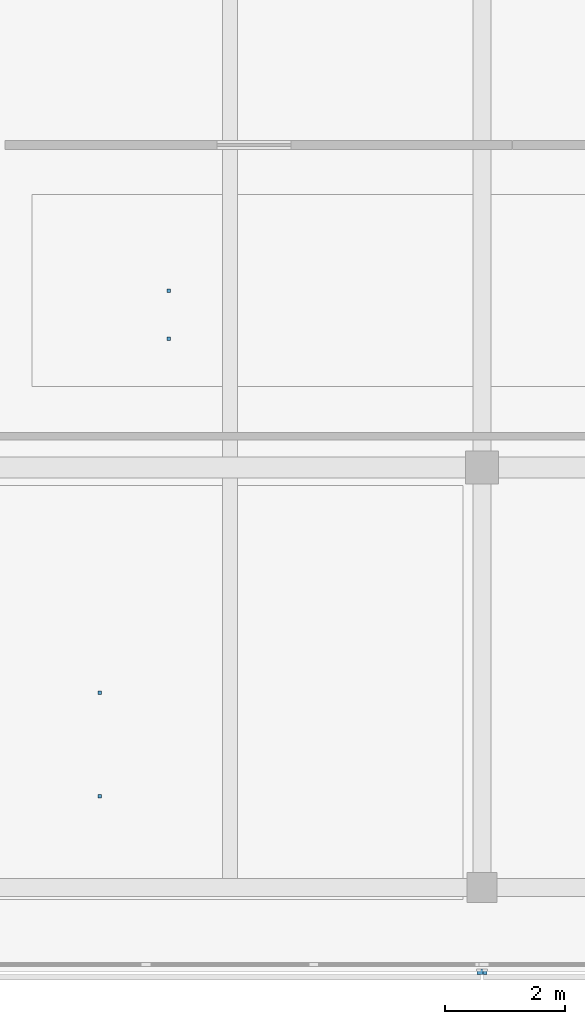
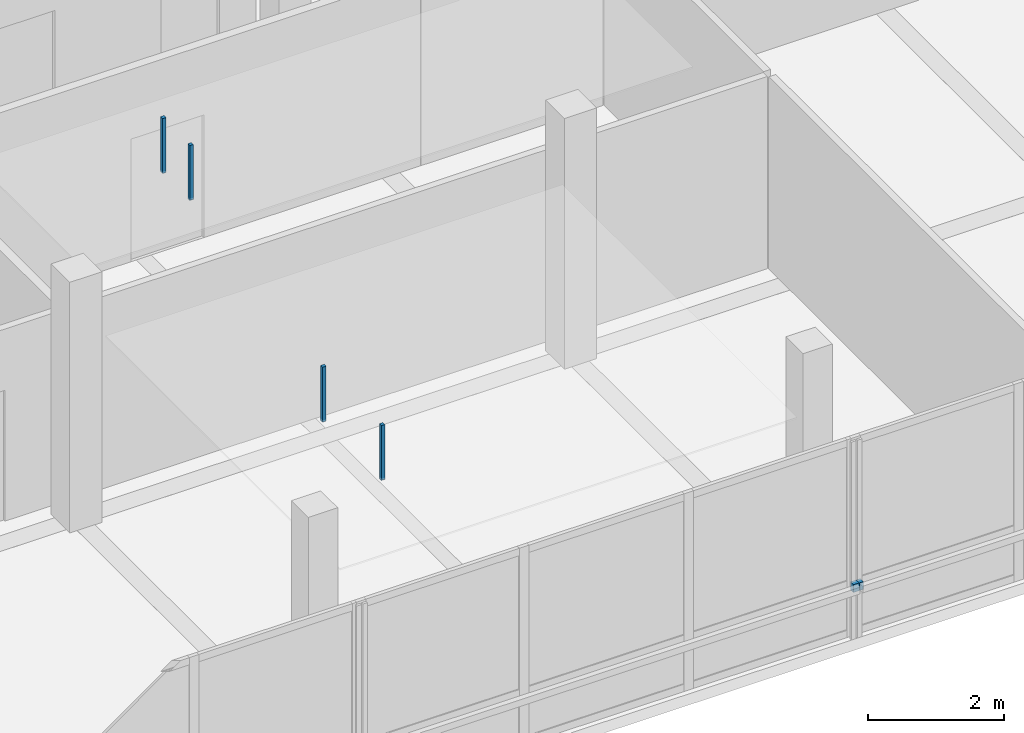
# One storey, part 10 of 20: 6 discrete accessories.
"""IFC4 building model written with IfcOpenShell, lengths in metres."""

from ifc_helpers import new_model, si_unit, direction, frame, origin, origin_2d, place, context, subcontext, project, spatial, rectangle, extrude, material, type_object, element, save


model = new_model("IFC4")

# Units and contexts
model_context = context("Model", 3, precision=1e-05, world=origin(), true_north=direction((0.0, 1.0)))
body_context = subcontext(model_context, "Body", "Model", "MODEL_VIEW")
ifc_project = project(units=[si_unit("LENGTHUNIT", "METRE"), si_unit("AREAUNIT", "SQUARE_METRE"), si_unit("VOLUMEUNIT", "CUBIC_METRE"), si_unit("PLANEANGLEUNIT", "RADIAN"), si_unit("MASSUNIT", "GRAM", prefix="KILO")], contexts=[model_context])

# Site, building, storey
site_placement = place(None, origin())
site = spatial("IfcSite", under=ifc_project, at=site_placement, CompositionType="ELEMENT")
building_placement = place(site_placement, origin())
building = spatial("IfcBuilding", under=site, at=building_placement, Name="Telukmera Botanical Conservatory", CompositionType="ELEMENT")
storey_placement = place(building_placement, frame((0.0, 0.0, 69.0)))
storey = spatial("IfcBuildingStorey", under=building, at=storey_placement, Name="L15", CompositionType="ELEMENT", Elevation=69.0)

# Discrete accessories
ifc_material = material(Name="Steel S355", Category="steel")
discrete_accessory_type_1 = type_object("IfcDiscreteAccessoryType", Name="ACC-CEIL-HGR", PredefinedType="BRACKET", material=ifc_material)
for number, where, z_axis, x_axis, name in (
    (1, (77.627197265625, 12.125, 3.31982421875), (0.0, 0.0, 1.0), (1.0, 0.0, 0.0), "L15 Suspended Ceiling Hanger Rod 023-1"),
    (2, (77.627197265625, 13.85009765625, 3.31982421875), (0.0, 0.0, 1.0), (1.0, 0.0, 0.0), "L15 Suspended Ceiling Hanger Rod 023-2"),
    (3, (78.777099609375, 19.75, 3.31982421875), (0.0, 0.0, 1.0), (1.0, 0.0, 0.0), "L15 Suspended Ceiling Hanger Rod 025-1"),
    (4, (78.777099609375, 20.550048828125, 3.31982421875), (0.0, 0.0, 1.0), (1.0, 0.0, 0.0), "L15 Suspended Ceiling Hanger Rod 025-2"),
):
    element("IfcDiscreteAccessory", number, at=place(storey_placement, frame(where, z_axis=z_axis, x_axis=x_axis)), inside=storey, type_object=discrete_accessory_type_1, Name=name, PredefinedType="BRACKET", context=body_context, shape_type="SweptSolid", body=[
        extrude(rectangle(XDim=0.06005859375, YDim=0.06005859375, at=origin_2d()), origin(), (0.0, 0.0, 1.0), 0.985107421875),
    ])
discrete_accessory_type_2 = type_object("IfcDiscreteAccessoryType", Name="Structural Steel Facade Outrigger Fin Bracket", PredefinedType="BRACKET", material=ifc_material)
for number, where, z_axis, x_axis, name in (
    (5, (83.965576171875, 9.195068359375, 0.8798828125), (0.0, 0.0, 1.0), (1.0, 0.0, 0.0), "Facade Outrigger Bracket V4:L15:S3 B"),
    (6, (84.034423828125, 9.195068359375, 0.8798828125), (0.0, 0.0, 1.0), (1.0, 0.0, 0.0), "Facade Outrigger Bracket V4:L15:S4 A"),
):
    element("IfcDiscreteAccessory", number, at=place(storey_placement, frame(where, z_axis=z_axis, x_axis=x_axis)), inside=storey, type_object=discrete_accessory_type_2, Name=name, PredefinedType="BRACKET", context=body_context, shape_type="SweptSolid", body=[
        extrude(rectangle(XDim=0.10009765625, YDim=0.090087890625, at=origin_2d()), origin(), (0.0, 0.0, 1.0), 0.139892578125),
    ])

save(model, "model.ifc")
